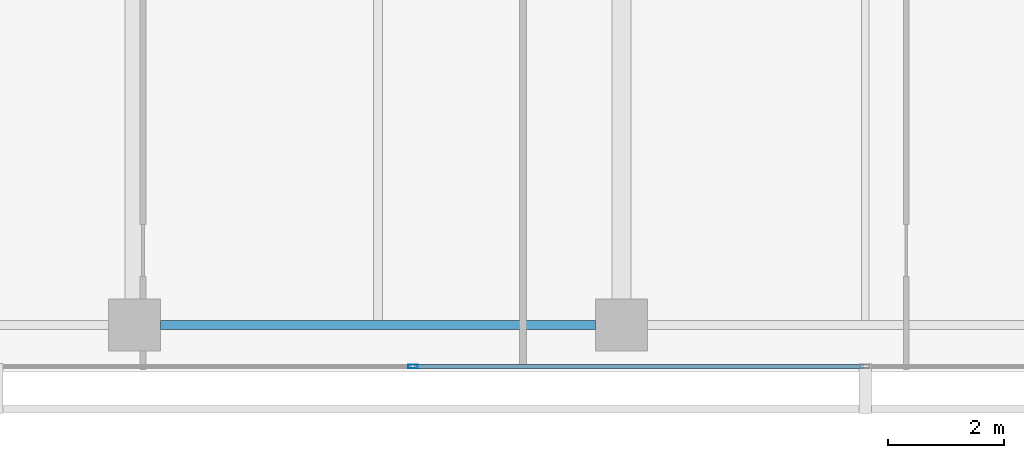
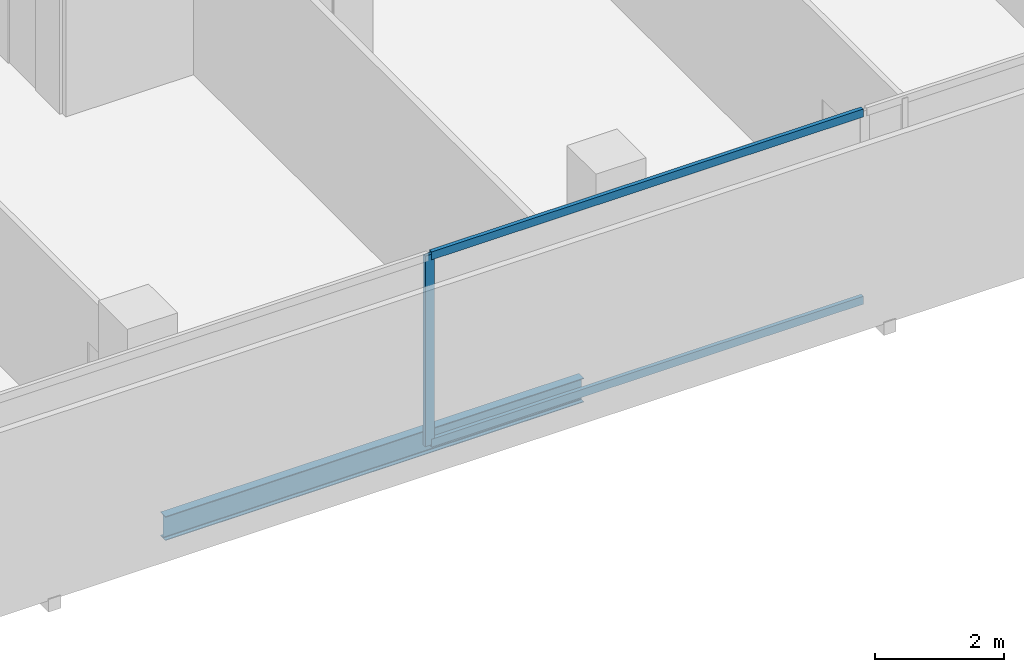
# One storey, part 7 of 39: 3 members, 1 beam, 1 element without a shape of its own.
"""IFC4 building model written with IfcOpenShell, lengths in metres."""

from ifc_helpers import new_model, si_unit, direction, frame, origin, origin_2d, place, context, subcontext, project, spatial, hollow_rectangle, i_section, extrude, material, layer, layer_set, material_profile, profile_set, type_object, element, aggregate, save


model = new_model("IFC4")

# Units and contexts
model_context = context("Model", 3, precision=1e-05, world=origin(), true_north=direction((0.0, 1.0)))
body_context = subcontext(model_context, "Body", "Model", "MODEL_VIEW")
ifc_project = project(units=[si_unit("LENGTHUNIT", "METRE"), si_unit("AREAUNIT", "SQUARE_METRE"), si_unit("VOLUMEUNIT", "CUBIC_METRE"), si_unit("PLANEANGLEUNIT", "RADIAN"), si_unit("MASSUNIT", "GRAM", prefix="KILO")], contexts=[model_context])

# Site, building, storey
site_placement = place(None, origin())
site = spatial("IfcSite", under=ifc_project, at=site_placement, CompositionType="ELEMENT")
building_placement = place(site_placement, origin())
building = spatial("IfcBuilding", under=site, at=building_placement, Name="Maruvema Waterfront Hotel and Observation Tower", CompositionType="ELEMENT")
storey_placement = place(building_placement, frame((0.0, 0.0, 69.300048828125)))
storey = spatial("IfcBuildingStorey", under=building, at=storey_placement, Name="L16", CompositionType="ELEMENT", Elevation=69.300048828125)

# Curtain wall, members
ifc_material_1 = material(Name="Anodised bronze aluminium and solar-control low-E IGU", Category="aluminium")
ifc_layer = layer(ifc_material_1, 0.159912109375, Name="Zone 1 Bronze Inner Thermal Curtain Wall System CW-02")
ifc_layer_set = layer_set([ifc_layer], Name="Anodised bronze aluminium and solar-control low-E IGU")
curtain_wall_type = type_object("IfcCurtainWallType", Name="Zone 1 Bronze Inner Thermal Curtain Wall System CW-02", PredefinedType="USERDEFINED", material=ifc_layer_set)
curtain_wall_placement = place(storey_placement, origin())
curtain_wall = element("IfcCurtainWall", 1, at=curtain_wall_placement, inside=storey, type_object=curtain_wall_type, Name="L16 Curtain Wall CW-L16-S", ObjectType="UNITISED CURTAIN WALL", PredefinedType="USERDEFINED")
ifc_material_2 = material(Name="Anodised architectural bronze aluminium", Category="aluminium")
ifc_material_profile_1 = material_profile(ifc_material_2, hollow_rectangle(XDim=0.070068359375, YDim=0.14990234375, WallThickness=0.00390625, at=origin_2d()), Name="ALU-T70x150")
ifc_profile_set_1 = profile_set([ifc_material_profile_1], Name="Anodised architectural bronze aluminium")
member_type_1 = type_object("IfcMemberType", Name="Curtain Wall Horizontal Transom ALU-T70x150", PredefinedType="USERDEFINED", material=ifc_profile_set_1)
member_1_placement = place(storey_placement, frame((30.030029296875, 0.080078125, 0.030029296875), z_axis=(1.0, 0.0, 0.0), x_axis=(0.0, 1.0, 0.0)))
member_1 = element("IfcMember", 2, at=member_1_placement, type_object=member_type_1, Name="CW-02 transom 3.1", ObjectType="TRANSOM", PredefinedType="USERDEFINED", context=body_context, shape_type="SweptSolid", body=[
    extrude(hollow_rectangle(XDim=0.070068359375, YDim=0.14990234375, WallThickness=0.00390625, at=origin_2d()), origin(), (0.0, 0.0, 1.0), 7.739990234375),
])
member_2_placement = place(storey_placement, frame((30.030029296875, 0.080078125, 3.579833984375), z_axis=(1.0, 0.0, 0.0), x_axis=(0.0, 1.0, 0.0)))
member_2 = element("IfcMember", 3, at=member_2_placement, type_object=member_type_1, Name="CW-02 transom 3.2", ObjectType="TRANSOM", PredefinedType="USERDEFINED", context=body_context, shape_type="SweptSolid", body=[
    extrude(hollow_rectangle(XDim=0.070068359375, YDim=0.14990234375, WallThickness=0.00390625, at=origin_2d()), origin(), (0.0, 0.0, 1.0), 7.739990234375),
])
ifc_material_3 = material(Name="Anodised architectural bronze aluminium", Category="aluminium")
ifc_material_profile_2 = material_profile(ifc_material_3, hollow_rectangle(XDim=0.06494140625, YDim=0.1650390625, WallThickness=0.00390625, at=origin_2d()), Name="ALU-M65x165")
ifc_profile_set_2 = profile_set([ifc_material_profile_2], Name="Anodised architectural bronze aluminium")
member_type_2 = type_object("IfcMemberType", Name="Curtain Wall Primary Mullion ALU-M65x165", PredefinedType="MULLION", material=ifc_profile_set_2)
member_3_placement = place(storey_placement, frame((30.0, 0.080078125, 0.0), z_axis=(0.0, 0.0, 1.0), x_axis=(0.0, 1.0, 0.0)))
member_3 = element("IfcMember", 4, at=member_3_placement, type_object=member_type_2, Name="CW-02 mullion 3", PredefinedType="MULLION", context=body_context, shape_type="SweptSolid", body=[
    extrude(hollow_rectangle(XDim=0.06494140625, YDim=0.1650390625, WallThickness=0.00390625, at=origin_2d()), origin(), (0.0, 0.0, 1.0), 3.60986328125),
])
aggregate(curtain_wall, [member_3, member_1, member_2])

# Beam
ifc_material_4 = material(Name="Steel ASTM A572 Grade 50", Category="steel")
ifc_material_profile_3 = material_profile(ifc_material_4, i_section(OverallWidth=0.153076171875, OverallDepth=0.455078125, WebThickness=0.008056640625, FlangeThickness=0.01318359375, FilletRadius=0.014892578125, at=origin_2d()), Name="W460x60.0")
ifc_profile_set_3 = profile_set([ifc_material_profile_3], Name="Steel ASTM A572 Grade 50")
beam_type = type_object("IfcBeamType", Name="Perimeter Spandrel Beam W460x60.0", PredefinedType="SPANDREL", material=ifc_profile_set_3)
beam_placement = place(storey_placement, frame((25.64990234375, 0.800048828125, -0.467529296875), z_axis=(1.0, 0.0, 0.0), x_axis=(0.0, 1.0, 0.0)))
element("IfcBeam", 5, at=beam_placement, inside=storey, type_object=beam_type, Name="L16 Floor Girder EW-02", PredefinedType="SPANDREL", context=body_context, shape_type="SweptSolid", body=[
    extrude(i_section(OverallWidth=0.153076171875, OverallDepth=0.455078125, WebThickness=0.008056640625, FlangeThickness=0.01318359375, FilletRadius=0.014892578125, at=origin_2d()), origin(), (0.0, 0.0, 1.0), 7.5),
])

save(model, "model.ifc")
